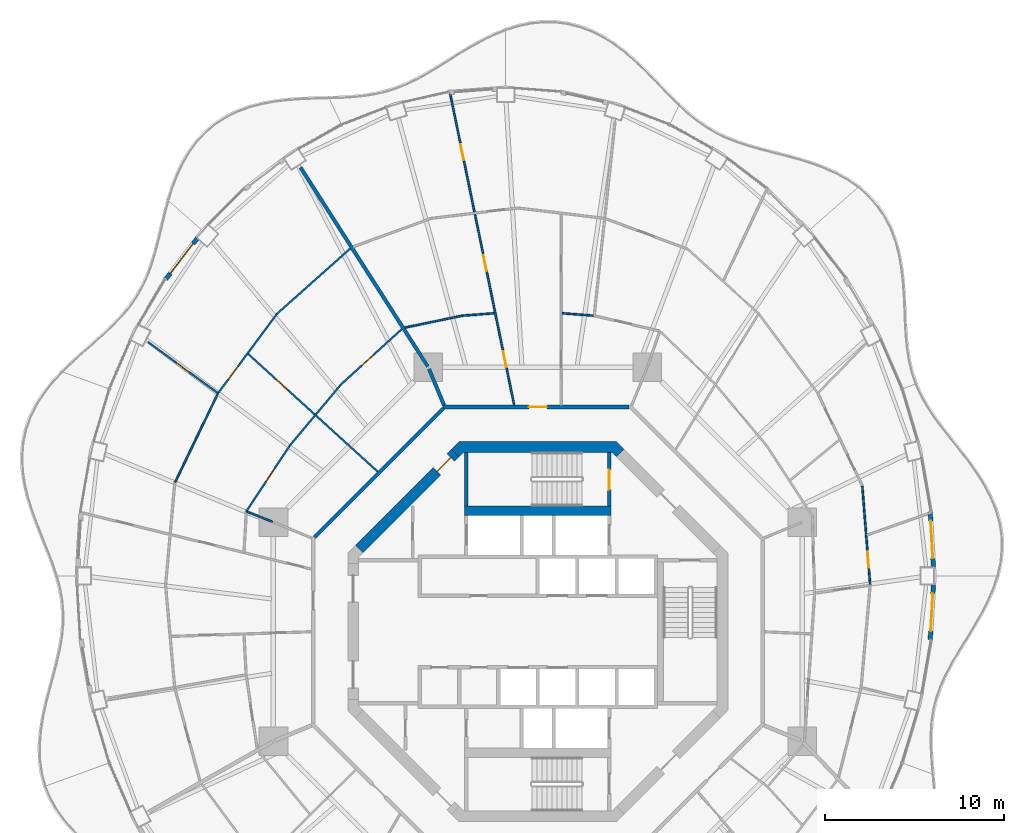
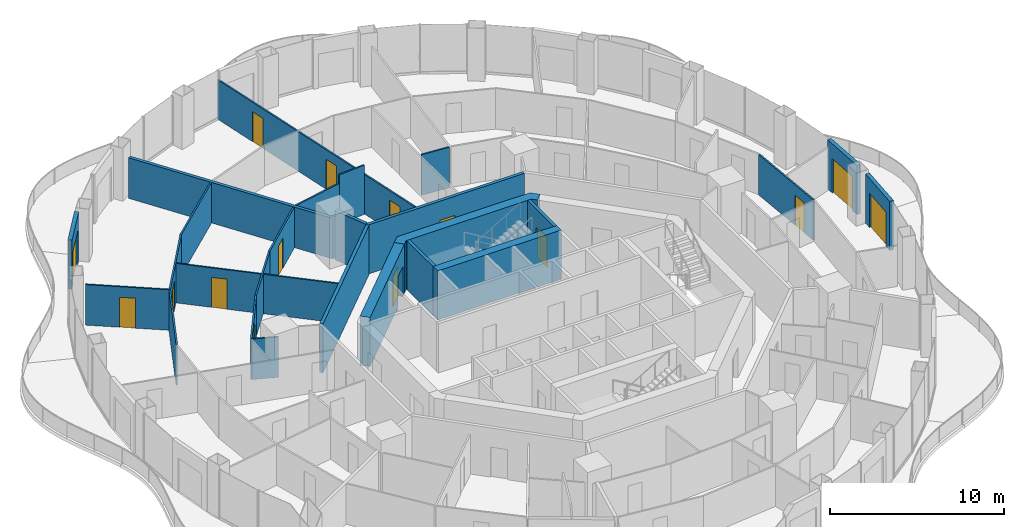
# One storey, part 13 of 18: 26 walls, 15 doors, 15 openings.
"""IFC4 building model written with IfcOpenShell, lengths in metres."""

from ifc_helpers import new_model, si_unit, direction, frame, frame_2d, origin, place, context, subcontext, project, spatial, polyline, rectangle, outline, extrude, material, layer, layer_set, type_object, element, fill, save


model = new_model("IFC4")

# Units and contexts
model_context = context("Model", 3, precision=1e-05, world=origin(), true_north=direction((0.0, 1.0)))
body_context = subcontext(model_context, "Body", "Model", "MODEL_VIEW")
ifc_project = project(units=[si_unit("LENGTHUNIT", "METRE"), si_unit("AREAUNIT", "SQUARE_METRE"), si_unit("VOLUMEUNIT", "CUBIC_METRE"), si_unit("PLANEANGLEUNIT", "RADIAN"), si_unit("MASSUNIT", "GRAM", prefix="KILO")], contexts=[model_context])

# Site, building, storey
site_placement = place(None, origin())
site = spatial("IfcSite", under=ifc_project, at=site_placement, CompositionType="ELEMENT")
building_placement = place(site_placement, origin())
building = spatial("IfcBuilding", under=site, at=building_placement, Name="Nagisa Residences", CompositionType="ELEMENT")
storey_placement = place(building_placement, frame((0.0, 0.0, 238.10009765625)))
storey = spatial("IfcBuildingStorey", under=building, at=storey_placement, Name="L60", CompositionType="ELEMENT", Elevation=238.10009765625)

# Walls
ifc_material_1 = material(Name="Gypsum board on steel studs", Category="steel")
ifc_layer_1 = layer(ifc_material_1, 0.199951171875)
ifc_layer_set_1 = layer_set([ifc_layer_1], Name="Apartment compartment wall EI60 200")
wall_type_1 = type_object("IfcWallType", Name="Apartment compartment wall EI60 200", PredefinedType="PARTITIONING", material=ifc_layer_set_1)
wall_1_placement = place(storey_placement, frame((-5.24267578125, 12.6572265625, 0.0), z_axis=(0.0, 0.0, 1.0), x_axis=(-0.382691608661, 0.923876145736, 0.0)))
element("IfcWall", 1, at=wall_1_placement, inside=storey, type_object=wall_type_1, Name="wall:L60:u00", PredefinedType="PARTITIONING", context=body_context, shape_type="SweptSolid", body=[
    extrude(rectangle(XDim=2.19970703125, YDim=0.199951171875, at=frame_2d((1.099853515625, 0.0))), origin(), (0.0, 0.0, 1.0), 3.43994140625),
])
wall_2_placement = place(storey_placement, frame((-6.14990234375, 14.82421875, 0.0), z_axis=(0.0, 0.0, 1.0), x_axis=(-0.538870687577, 0.842388498301, 0.0)))
element("IfcWall", 2, at=wall_2_placement, inside=storey, type_object=wall_type_1, Name="wall:L60:u01", PredefinedType="PARTITIONING", context=body_context, shape_type="SweptSolid", body=[
    extrude(rectangle(XDim=13.212646484375, YDim=0.199951171875, at=frame_2d((6.6064453125, 0.0))), origin(), (0.0, 0.0, 1.0), 2.8369140625),
])

# Wall, opening, door
ifc_material_2 = material(Name="Gypsum board on steel studs", Category="steel")
ifc_layer_2 = layer(ifc_material_2, 0.199951171875)
ifc_layer_set_2 = layer_set([ifc_layer_2], Name="Apartment entry wall EI60 200")
wall_type_2 = type_object("IfcWallType", Name="Apartment entry wall EI60 200", PredefinedType="PARTITIONING", material=ifc_layer_set_2)
wall_3_placement = place(storey_placement, frame((5.1044921875, 12.564697265625, 0.0), z_axis=(0.0, 0.0, 1.0), x_axis=(-1.0, 0.0, 0.0)))
wall_3 = element("IfcWall", 3, at=wall_3_placement, inside=storey, type_object=wall_type_2, Name="wall:L60:u10", PredefinedType="PARTITIONING", context=body_context, shape_type="SweptSolid", body=[
    extrude(rectangle(XDim=10.408935546875, YDim=0.199951171875, at=frame_2d((5.20458984375, 0.0))), origin(), (0.0, 0.0, 1.0), 3.43994140625),
])
opening_1_placement = place(wall_3_placement, frame((4.6044921875, 0.0, 0.0)))
opening_1 = element("IfcOpeningElement", 4, at=opening_1_placement, cuts=wall_3, Name="Opening L60-U20", PredefinedType="OPENING", context=body_context, shape_type="SweptSolid", body=[
    extrude(rectangle(XDim=1.0, YDim=2.10009765625, at=frame_2d((0.5, 1.050048828125))), frame((0.0, 0.10986328125, 0.0), z_axis=(0.0, -1.0, 0.0), x_axis=(1.0, 0.0, 0.0)), (0.0, 0.0, 1.0), 0.219970703125),
])
ifc_material_3 = material(Name="Timber fire door set", Category="wood")
door_type_1 = type_object("IfcDoorType", Name="Apartment entry door FD30S 1000x2100", OperationType="NOTDEFINED", PredefinedType="DOOR", material=ifc_material_3)
door_1_placement = place(opening_1_placement, frame((1.0, 0.0, 0.0), x_axis=(-1.0, 0.0, 0.0)))
door_1 = element("IfcDoor", 5, at=door_1_placement, inside=storey, type_object=door_type_1, Name="Entry door, Apartment 60C", OperationType="SINGLE_SWING_LEFT", OverallHeight=2.10009765625, OverallWidth=1.0, PredefinedType="DOOR", context=body_context, shape_type="SweptSolid", body=[
    extrude(rectangle(XDim=1.0, YDim=2.10009765625, at=frame_2d((0.5, 1.050048828125))), frame((0.0, 0.02490234375, 0.0), z_axis=(0.0, -1.0, 0.0), x_axis=(1.0, 0.0, 0.0)), (0.0, 0.0, 1.0), 0.050048828125),
])
fill(opening_1, door_1)

# Wall
wall_4_placement = place(storey_placement, frame((-5.275146484375, 12.494140625, 0.0), z_axis=(0.0, 0.0, 1.0), x_axis=(-0.707106781187, -0.707106781187, 0.0)))
element("IfcWall", 6, at=wall_4_placement, inside=storey, type_object=wall_type_2, Name="wall:L60:u11", PredefinedType="PARTITIONING", context=body_context, shape_type="SweptSolid", body=[
    extrude(rectangle(XDim=10.209228515625, YDim=0.199951171875, at=frame_2d((5.1044921875, 0.0))), origin(), (0.0, 0.0, 1.0), 3.43994140625),
])

# Wall, opening, door
ifc_material_4 = material(Name="Gypsum board on steel studs", Category="steel")
ifc_layer_3 = layer(ifc_material_4, 0.10009765625)
ifc_layer_set_3 = layer_set([ifc_layer_3], Name="Apartment partition 100")
wall_type_3 = type_object("IfcWallType", Name="Apartment partition 100", PredefinedType="PARTITIONING", material=ifc_layer_set_3)
wall_5_placement = place(storey_placement, frame((18.578125, 2.64208984375, 0.0), z_axis=(0.0, 0.0, 1.0), x_axis=(-0.079179272956, 0.9968603928, 0.0)))
wall_5 = element("IfcWall", 7, at=wall_5_placement, inside=storey, type_object=wall_type_3, Name="wall:L60:u19", PredefinedType="PARTITIONING", context=body_context, shape_type="SweptSolid", body=[
    extrude(rectangle(XDim=5.50390625, YDim=0.10009765625, at=frame_2d((2.751953125, 0.0))), origin(), (0.0, 0.0, 1.0), 2.8369140625),
])
opening_2_placement = place(wall_5_placement, frame((0.926025390625, 0.0, 0.0)))
opening_2 = element("IfcOpeningElement", 8, at=opening_2_placement, cuts=wall_5, Name="Opening L60-U35", PredefinedType="OPENING", context=body_context, shape_type="SweptSolid", body=[
    extrude(rectangle(XDim=0.89990234375, YDim=2.10009765625, at=frame_2d((0.449951171875, 1.050048828125))), frame((0.0, 0.06005859375, 0.0), z_axis=(0.0, -1.0, 0.0), x_axis=(1.0, 0.0, 0.0)), (0.0, 0.0, 1.0), 0.1201171875),
])
ifc_material_5 = material(Name="Timber door set", Category="wood")
door_type_2 = type_object("IfcDoorType", Name="Apartment door 900x2100", OperationType="NOTDEFINED", PredefinedType="DOOR", material=ifc_material_5)
door_2_placement = place(opening_2_placement, frame((0.89990234375, 0.0, 0.0), x_axis=(-1.0, 0.0, 0.0)))
door_2 = element("IfcDoor", 9, at=door_2_placement, inside=storey, type_object=door_type_2, Name="Door to master bedroom, Apartment 60C", OperationType="SINGLE_SWING_RIGHT", OverallHeight=2.10009765625, OverallWidth=0.89990234375, PredefinedType="DOOR", context=body_context, shape_type="SweptSolid", body=[
    extrude(rectangle(XDim=0.89990234375, YDim=2.10009765625, at=frame_2d((0.449951171875, 1.050048828125))), frame((0.0, 0.02490234375, 0.0), z_axis=(0.0, -1.0, 0.0), x_axis=(1.0, 0.0, 0.0)), (0.0, 0.0, 1.0), 0.050048828125),
])
fill(opening_2, door_2)

# Wall
wall_6_placement = place(storey_placement, frame((3.1005859375, 17.67138671875, 0.0), z_axis=(0.0, 0.0, 1.0), x_axis=(-0.997127864669, 0.075736526859, 0.0)))
element("IfcWall", 10, at=wall_6_placement, inside=storey, type_object=wall_type_3, Name="wall:L60:u38", PredefinedType="PARTITIONING", context=body_context, shape_type="SweptSolid", body=[
    extrude(rectangle(XDim=1.75048828125, YDim=0.10009765625, at=frame_2d((0.875244140625, 0.0))), origin(), (0.0, 0.0, 1.0), 2.8369140625),
])

# Wall, openings, doors
wall_7_placement = place(storey_placement, frame((-1.3212890625, 12.66259765625, 0.0), z_axis=(0.0, 0.0, 1.0), x_axis=(-0.201366062305, 0.979516058547, 0.0)))
wall_7 = element("IfcWall", 11, at=wall_7_placement, inside=storey, type_object=wall_type_3, Name="wall:L60:u42", PredefinedType="PARTITIONING", context=body_context, shape_type="SweptSolid", body=[
    extrude(rectangle(XDim=17.93896484375, YDim=0.10009765625, at=frame_2d((8.969482421875, 0.0))), origin(), (0.0, 0.0, 1.0), 2.761962890625),
])
opening_3_placement = place(wall_7_placement, frame((2.177001953125, 0.0, 0.0)))
opening_3 = element("IfcOpeningElement", 12, at=opening_3_placement, cuts=wall_7, Name="Opening L60-U22", PredefinedType="OPENING", context=body_context, shape_type="SweptSolid", body=[
    extrude(rectangle(XDim=0.89990234375, YDim=2.10009765625, at=frame_2d((0.449951171875, 1.050048828125))), frame((0.0, 0.06005859375, 0.0), z_axis=(0.0, -1.0, 0.0), x_axis=(1.0, 0.0, 0.0)), (0.0, 0.0, 1.0), 0.1201171875),
])
opening_4_placement = place(wall_7_placement, frame((7.6591796875, 0.0, 0.0)))
opening_4 = element("IfcOpeningElement", 13, at=opening_4_placement, cuts=wall_7, Name="Opening L60-U25", PredefinedType="OPENING", context=body_context, shape_type="SweptSolid", body=[
    extrude(rectangle(XDim=0.89990234375, YDim=2.10009765625, at=frame_2d((0.449951171875, 1.050048828125))), frame((0.0, 0.06005859375, 0.0), z_axis=(0.0, -1.0, 0.0), x_axis=(1.0, 0.0, 0.0)), (0.0, 0.0, 1.0), 0.1201171875),
])
opening_5_placement = place(wall_7_placement, frame((14.001708984375, 0.0, 0.0)))
opening_5 = element("IfcOpeningElement", 14, at=opening_5_placement, cuts=wall_7, Name="Opening L60-U29", PredefinedType="OPENING", context=body_context, shape_type="SweptSolid", body=[
    extrude(rectangle(XDim=0.89990234375, YDim=2.10009765625, at=frame_2d((0.449951171875, 1.050048828125))), frame((0.0, 0.06005859375, 0.0), z_axis=(0.0, -1.0, 0.0), x_axis=(1.0, 0.0, 0.0)), (0.0, 0.0, 1.0), 0.1201171875),
])
door_3_placement = place(opening_3_placement, origin())
door_3 = element("IfcDoor", 15, at=door_3_placement, inside=storey, type_object=door_type_2, Name="Door to laundry, Apartment 60C", OperationType="SINGLE_SWING_RIGHT", OverallHeight=2.10009765625, OverallWidth=0.89990234375, PredefinedType="DOOR", context=body_context, shape_type="SweptSolid", body=[
    extrude(rectangle(XDim=0.89990234375, YDim=2.10009765625, at=frame_2d((0.449951171875, 1.050048828125))), frame((0.0, 0.02490234375, 0.0), z_axis=(0.0, -1.0, 0.0), x_axis=(1.0, 0.0, 0.0)), (0.0, 0.0, 1.0), 0.050048828125),
])
fill(opening_3, door_3)
door_4_placement = place(opening_4_placement, origin())
door_4 = element("IfcDoor", 16, at=door_4_placement, inside=storey, type_object=door_type_2, Name="Door to study, Apartment 60C", OperationType="SINGLE_SWING_LEFT", OverallHeight=2.10009765625, OverallWidth=0.89990234375, PredefinedType="DOOR", context=body_context, shape_type="SweptSolid", body=[
    extrude(rectangle(XDim=0.89990234375, YDim=2.10009765625, at=frame_2d((0.449951171875, 1.050048828125))), frame((0.0, 0.02490234375, 0.0), z_axis=(0.0, -1.0, 0.0), x_axis=(1.0, 0.0, 0.0)), (0.0, 0.0, 1.0), 0.050048828125),
])
fill(opening_4, door_4)
door_5_placement = place(opening_5_placement, origin())
door_5 = element("IfcDoor", 17, at=door_5_placement, inside=storey, type_object=door_type_2, Name="Door to dining room, Apartment 60C", OperationType="SINGLE_SWING_LEFT", OverallHeight=2.10009765625, OverallWidth=0.89990234375, PredefinedType="DOOR", context=body_context, shape_type="SweptSolid", body=[
    extrude(rectangle(XDim=0.89990234375, YDim=2.10009765625, at=frame_2d((0.449951171875, 1.050048828125))), frame((0.0, 0.02490234375, 0.0), z_axis=(0.0, -1.0, 0.0), x_axis=(1.0, 0.0, 0.0)), (0.0, 0.0, 1.0), 0.050048828125),
])
fill(opening_5, door_5)

# Walls
wall_8_placement = place(storey_placement, frame((-2.43505859375, 17.803955078125, 0.0), z_axis=(0.0, 0.0, 1.0), x_axis=(-0.997128664551, -0.075725995084, 0.0)))
element("IfcWall", 18, at=wall_8_placement, inside=storey, type_object=wall_type_3, Name="wall:L60:u43", PredefinedType="PARTITIONING", context=body_context, shape_type="SweptSolid", body=[
    extrude(rectangle(XDim=1.750732421875, YDim=0.10009765625, at=frame_2d((0.87548828125, 0.0))), origin(), (0.0, 0.0, 1.0), 3.43994140625),
])
wall_9_placement = place(storey_placement, frame((-4.181640625, 17.677734375, 0.0), z_axis=(0.0, 0.0, 1.0), x_axis=(-0.979196996208, -0.202911908517, 0.0)))
element("IfcWall", 19, at=wall_9_placement, inside=storey, type_object=wall_type_3, Name="wall:L60:u44", PredefinedType="PARTITIONING", context=body_context, shape_type="SweptSolid", body=[
    extrude(rectangle(XDim=3.32080078125, YDim=0.10009765625, at=frame_2d((1.660400390625, 0.0))), origin(), (0.0, 0.0, 1.0), 2.8369140625),
])

# Wall, opening, door
wall_10_placement = place(storey_placement, frame((-7.605224609375, 16.91650390625, 0.0), z_axis=(0.0, 0.0, 1.0), x_axis=(-0.739828340504, -0.672795679673, 0.0)))
wall_10 = element("IfcWall", 20, at=wall_10_placement, inside=storey, type_object=wall_type_3, Name="wall:L60:u46", PredefinedType="PARTITIONING", context=body_context, shape_type="SweptSolid", body=[
    extrude(rectangle(XDim=4.647216796875, YDim=0.10009765625, at=frame_2d((2.32373046875, 0.0))), origin(), (0.0, 0.0, 1.0), 2.8369140625),
])
opening_6_placement = place(wall_10_placement, frame((2.148193359375, 0.0, 0.0)))
opening_6 = element("IfcOpeningElement", 21, at=opening_6_placement, cuts=wall_10, Name="Opening L60-U52", PredefinedType="OPENING", context=body_context, shape_type="SweptSolid", body=[
    extrude(rectangle(XDim=0.89990234375, YDim=2.10009765625, at=frame_2d((0.449951171875, 1.050048828125))), frame((0.0, 0.06005859375, 0.0), z_axis=(0.0, -1.0, 0.0), x_axis=(1.0, 0.0, 0.0)), (0.0, 0.0, 1.0), 0.1201171875),
])
door_6_placement = place(opening_6_placement, origin())
door_6 = element("IfcDoor", 22, at=door_6_placement, inside=storey, type_object=door_type_2, Name="Door to store, Apartment 60D", OperationType="SINGLE_SWING_RIGHT", OverallHeight=2.10009765625, OverallWidth=0.89990234375, PredefinedType="DOOR", context=body_context, shape_type="SweptSolid", body=[
    extrude(rectangle(XDim=0.89990234375, YDim=2.10009765625, at=frame_2d((0.449951171875, 1.050048828125))), frame((0.0, 0.02490234375, 0.0), z_axis=(0.0, -1.0, 0.0), x_axis=(1.0, 0.0, 0.0)), (0.0, 0.0, 1.0), 0.050048828125),
])
fill(opening_6, door_6)

# Walls
wall_11_placement = place(storey_placement, frame((-10.48779296875, 21.422119140625, 0.0), z_axis=(0.0, 0.0, 1.0), x_axis=(-0.747153269812, -0.66465178207, 0.0)))
element("IfcWall", 23, at=wall_11_placement, inside=storey, type_object=wall_type_3, Name="wall:L60:u47", PredefinedType="PARTITIONING", context=body_context, shape_type="SweptSolid", body=[
    extrude(rectangle(XDim=5.52490234375, YDim=0.10009765625, at=frame_2d((2.762451171875, 0.0))), origin(), (0.0, 0.0, 1.0), 2.8369140625),
])
wall_12_placement = place(storey_placement, frame((-11.03857421875, 13.78515625, 0.0), z_axis=(0.0, 0.0, 1.0), x_axis=(-0.642254625966, -0.766491353784, 0.0)))
element("IfcWall", 24, at=wall_12_placement, inside=storey, type_object=wall_type_3, Name="wall:L60:u48", PredefinedType="PARTITIONING", context=body_context, shape_type="SweptSolid", body=[
    extrude(rectangle(XDim=4.4609375, YDim=0.10009765625, at=frame_2d((2.23046875, 0.0))), origin(), (0.0, 0.0, 1.0), 2.8369140625),
])

# Wall, opening, door
wall_13_placement = place(storey_placement, frame((-14.608154296875, 17.7431640625, 0.0), z_axis=(0.0, 0.0, 1.0), x_axis=(-0.596174489482, -0.8028548923, 0.0)))
wall_13 = element("IfcWall", 25, at=wall_13_placement, inside=storey, type_object=wall_type_3, Name="wall:L60:u49", PredefinedType="PARTITIONING", context=body_context, shape_type="SweptSolid", body=[
    extrude(rectangle(XDim=5.44189453125, YDim=0.10009765625, at=frame_2d((2.720947265625, 0.0))), origin(), (0.0, 0.0, 1.0), 2.8369140625),
])
opening_7_placement = place(wall_13_placement, frame((3.63134765625, 0.0, 0.0)))
opening_7 = element("IfcOpeningElement", 26, at=opening_7_placement, cuts=wall_13, Name="Opening L60-U46", PredefinedType="OPENING", context=body_context, shape_type="SweptSolid", body=[
    extrude(rectangle(XDim=0.89990234375, YDim=2.10009765625, at=frame_2d((0.449951171875, 1.050048828125))), frame((0.0, 0.06005859375, 0.0), z_axis=(0.0, -1.0, 0.0), x_axis=(1.0, 0.0, 0.0)), (0.0, 0.0, 1.0), 0.1201171875),
])
door_7_placement = place(opening_7_placement, frame((0.89990234375, 0.0, 0.0), x_axis=(-1.0, 0.0, 0.0)))
door_7 = element("IfcDoor", 27, at=door_7_placement, inside=storey, type_object=door_type_2, Name="Door to living room, Apartment 60D", OperationType="SINGLE_SWING_LEFT", OverallHeight=2.10009765625, OverallWidth=0.89990234375, PredefinedType="DOOR", context=body_context, shape_type="SweptSolid", body=[
    extrude(rectangle(XDim=0.89990234375, YDim=2.10009765625, at=frame_2d((0.449951171875, 1.050048828125))), frame((0.0, 0.02490234375, 0.0), z_axis=(0.0, -1.0, 0.0), x_axis=(1.0, 0.0, 0.0)), (0.0, 0.0, 1.0), 0.050048828125),
])
fill(opening_7, door_7)

wall_14_placement = place(storey_placement, frame((-8.958740234375, 8.951904296875, 0.0), z_axis=(0.0, 0.0, 1.0), x_axis=(-0.740140081805, 0.672452719011, 0.0)))
wall_14 = element("IfcWall", 28, at=wall_14_placement, inside=storey, type_object=wall_type_3, Name="wall:L60:u50", PredefinedType="PARTITIONING", context=body_context, shape_type="SweptSolid", body=[
    extrude(rectangle(XDim=9.774658203125, YDim=0.10009765625, at=frame_2d((4.88720703125, 0.0))), origin(), (0.0, 0.0, 1.0), 2.761962890625),
])
opening_8_placement = place(wall_14_placement, frame((6.78857421875, 0.0, 0.0)))
opening_8 = element("IfcOpeningElement", 29, at=opening_8_placement, cuts=wall_14, Name="Opening L60-U51", PredefinedType="OPENING", context=body_context, shape_type="SweptSolid", body=[
    extrude(rectangle(XDim=0.89990234375, YDim=2.10009765625, at=frame_2d((0.449951171875, 1.050048828125))), frame((0.0, 0.06005859375, 0.0), z_axis=(0.0, -1.0, 0.0), x_axis=(1.0, 0.0, 0.0)), (0.0, 0.0, 1.0), 0.1201171875),
])
door_8_placement = place(opening_8_placement, frame((0.89990234375, 0.0, 0.0), x_axis=(-1.0, 0.0, 0.0)))
door_8 = element("IfcDoor", 30, at=door_8_placement, inside=storey, type_object=door_type_2, Name="Door to kitchen, Apartment 60D", OperationType="SINGLE_SWING_RIGHT", OverallHeight=2.10009765625, OverallWidth=0.89990234375, PredefinedType="DOOR", context=body_context, shape_type="SweptSolid", body=[
    extrude(rectangle(XDim=0.89990234375, YDim=2.10009765625, at=frame_2d((0.449951171875, 1.050048828125))), frame((0.0, 0.02490234375, 0.0), z_axis=(0.0, -1.0, 0.0), x_axis=(1.0, 0.0, 0.0)), (0.0, 0.0, 1.0), 0.050048828125),
])
fill(opening_8, door_8)

wall_15_placement = place(storey_placement, frame((-13.899169921875, 10.362548828125, 0.0), z_axis=(0.0, 0.0, 1.0), x_axis=(-0.55129513787, -0.834310296569, 0.0)))
wall_15 = element("IfcWall", 31, at=wall_15_placement, inside=storey, type_object=wall_type_3, Name="wall:L60:u51", PredefinedType="PARTITIONING", context=body_context, shape_type="SweptSolid", body=[
    extrude(rectangle(XDim=4.4072265625, YDim=0.10009765625, at=frame_2d((2.20361328125, 0.0))), origin(), (0.0, 0.0, 1.0), 2.8369140625),
])
opening_9_placement = place(wall_15_placement, frame((1.452880859375, 0.0, 0.0)))
opening_9 = element("IfcOpeningElement", 32, at=opening_9_placement, cuts=wall_15, Name="Opening L60-U50", PredefinedType="OPENING", context=body_context, shape_type="SweptSolid", body=[
    extrude(rectangle(XDim=0.89990234375, YDim=2.10009765625, at=frame_2d((0.449951171875, 1.050048828125))), frame((0.0, 0.06005859375, 0.0), z_axis=(0.0, -1.0, 0.0), x_axis=(1.0, 0.0, 0.0)), (0.0, 0.0, 1.0), 0.1201171875),
])
door_9_placement = place(opening_9_placement, origin())
door_9 = element("IfcDoor", 33, at=door_9_placement, inside=storey, type_object=door_type_2, Name="Door to laundry, Apartment 60D", OperationType="SINGLE_SWING_RIGHT", OverallHeight=2.10009765625, OverallWidth=0.89990234375, PredefinedType="DOOR", context=body_context, shape_type="SweptSolid", body=[
    extrude(rectangle(XDim=0.89990234375, YDim=2.10009765625, at=frame_2d((0.449951171875, 1.050048828125))), frame((0.0, 0.02490234375, 0.0), z_axis=(0.0, -1.0, 0.0), x_axis=(1.0, 0.0, 0.0)), (0.0, 0.0, 1.0), 0.050048828125),
])
fill(opening_9, door_9)

wall_16_placement = place(storey_placement, frame((-17.842041015625, 13.304443359375, 0.0), z_axis=(0.0, 0.0, 1.0), x_axis=(-0.807541617862, 0.589810592835, 0.0)))
wall_16 = element("IfcWall", 34, at=wall_16_placement, inside=storey, type_object=wall_type_3, Name="wall:L60:u52", PredefinedType="PARTITIONING", context=body_context, shape_type="SweptSolid", body=[
    extrude(rectangle(XDim=4.9033203125, YDim=0.10009765625, at=frame_2d((2.45166015625, 0.0))), origin(), (0.0, 0.0, 1.0), 2.8369140625),
])
opening_10_placement = place(wall_16_placement, frame((2.02685546875, 0.0, 0.0)))
opening_10 = element("IfcOpeningElement", 35, at=opening_10_placement, cuts=wall_16, Name="Opening L60-U47", PredefinedType="OPENING", context=body_context, shape_type="SweptSolid", body=[
    extrude(rectangle(XDim=0.89990234375, YDim=2.10009765625, at=frame_2d((0.449951171875, 1.050048828125))), frame((0.0, 0.06005859375, 0.0), z_axis=(0.0, -1.0, 0.0), x_axis=(1.0, 0.0, 0.0)), (0.0, 0.0, 1.0), 0.1201171875),
])
door_10_placement = place(opening_10_placement, origin())
door_10 = element("IfcDoor", 36, at=door_10_placement, inside=storey, type_object=door_type_2, Name="Door to tatami room, Apartment 60D", OperationType="SINGLE_SWING_LEFT", OverallHeight=2.10009765625, OverallWidth=0.89990234375, PredefinedType="DOOR", context=body_context, shape_type="SweptSolid", body=[
    extrude(rectangle(XDim=0.89990234375, YDim=2.10009765625, at=frame_2d((0.449951171875, 1.050048828125))), frame((0.0, 0.02490234375, 0.0), z_axis=(0.0, -1.0, 0.0), x_axis=(1.0, 0.0, 0.0)), (0.0, 0.0, 1.0), 0.050048828125),
])
fill(opening_10, door_10)

# Walls
wall_17_placement = place(storey_placement, frame((-17.904052734375, 13.288818359375, 0.0), z_axis=(0.0, 0.0, 1.0), x_axis=(-0.434292070406, -0.900772111903, 0.0)))
element("IfcWall", 37, at=wall_17_placement, inside=storey, type_object=wall_type_3, Name="wall:L60:u53", PredefinedType="PARTITIONING", context=body_context, shape_type="SweptSolid", body=[
    extrude(rectangle(XDim=5.46875, YDim=0.10009765625, at=frame_2d((2.734375, 0.0))), origin(), (0.0, 0.0, 1.0), 2.8369140625),
])
wall_18_placement = place(storey_placement, frame((-14.82861328125, 6.141357421875, 0.0), z_axis=(0.0, 0.0, 1.0), x_axis=(-0.929177051194, 0.369634965248, 0.0)))
element("IfcWall", 38, at=wall_18_placement, inside=storey, type_object=wall_type_3, Name="wall:L60:u55", PredefinedType="PARTITIONING", context=body_context, shape_type="SweptSolid", body=[
    extrude(rectangle(XDim=1.534912109375, YDim=0.10009765625, at=frame_2d((0.767578125, 0.0))), origin(), (0.0, 0.0, 1.0), 2.8369140625),
])

# Wall, opening, door
ifc_material_6 = material(Name="Precast concrete C40/50", Category="concrete")
ifc_layer_4 = layer(ifc_material_6, 0.25)
ifc_layer_set_4 = layer_set([ifc_layer_4], Name="BALCONY DOOR WALL 250")
wall_type_4 = type_object("IfcWallType", Name="BALCONY DOOR WALL 250", PredefinedType="SOLIDWALL", material=ifc_layer_set_4)
wall_19_placement = place(storey_placement, frame((21.939208984375, 6.685546875, 0.0), z_axis=(0.0, 0.0, 1.0), x_axis=(0.057528189427, -0.998343882348, 0.0)))
wall_19 = element("IfcWall", 39, at=wall_19_placement, inside=storey, type_object=wall_type_4, Name="wall:L60:bay00", PredefinedType="SOLIDWALL", context=body_context, shape_type="SweptSolid", body=[
    extrude(rectangle(XDim=3.0810546875, YDim=0.25, at=frame_2d((1.54052734375, 0.0))), origin(), (0.0, 0.0, 1.0), 3.43994140625),
])
opening_11_placement = place(wall_19_placement, frame((0.490478515625, 0.0, 0.0)))
opening_11 = element("IfcOpeningElement", 40, at=opening_11_placement, cuts=wall_19, Name="Opening BD-L60-01", PredefinedType="OPENING", context=body_context, shape_type="SweptSolid", body=[
    extrude(rectangle(XDim=2.10009765625, YDim=2.39990234375, at=frame_2d((1.050048828125, 1.199951171875))), frame((0.0, 0.135009765625, 0.0), z_axis=(0.0, -1.0, 0.0), x_axis=(1.0, 0.0, 0.0)), (0.0, 0.0, 1.0), 0.27001953125),
])
ifc_material_7 = material(Name="Aluminium and clear glass", Category="aluminium")
door_type_3 = type_object("IfcDoorType", Name="BALCONY SLIDING DOOR 2100x2400", OperationType="SLIDING_TO_LEFT", PredefinedType="DOOR", material=ifc_material_7)
door_11_placement = place(opening_11_placement, origin())
door_11 = element("IfcDoor", 41, at=door_11_placement, inside=storey, type_object=door_type_3, Name="door:L60:bay00", OperationType="SLIDING_TO_LEFT", OverallHeight=2.39990234375, OverallWidth=2.10009765625, PredefinedType="DOOR", context=body_context, shape_type="SweptSolid", body=[
    extrude(rectangle(XDim=2.10009765625, YDim=2.39990234375, at=frame_2d((1.050048828125, 1.199951171875))), frame((0.0, 0.02490234375, 0.0), z_axis=(0.0, -1.0, 0.0), x_axis=(1.0, 0.0, 0.0)), (0.0, 0.0, 1.0), 0.050048828125),
])
fill(opening_11, door_11)

wall_20_placement = place(storey_placement, frame((-20.797119140625, 19.71533203125, 0.0), z_axis=(0.0, 0.0, 1.0), x_axis=(0.610438565676, 0.792063607001, 0.0)))
wall_20 = element("IfcWall", 42, at=wall_20_placement, inside=storey, type_object=wall_type_4, Name="wall:L60:bay18", PredefinedType="SOLIDWALL", context=body_context, shape_type="SweptSolid", body=[
    extrude(rectangle(XDim=2.90087890625, YDim=0.25, at=frame_2d((1.450439453125, 0.0))), origin(), (0.0, 0.0, 1.0), 3.43994140625),
])
opening_12_placement = place(wall_20_placement, frame((0.400390625, 0.0, 0.0)))
opening_12 = element("IfcOpeningElement", 43, at=opening_12_placement, cuts=wall_20, Name="Opening BD-L60-07", PredefinedType="OPENING", context=body_context, shape_type="SweptSolid", body=[
    extrude(rectangle(XDim=2.10009765625, YDim=2.39990234375, at=frame_2d((1.050048828125, 1.199951171875))), frame((0.0, 0.135009765625, 0.0), z_axis=(0.0, -1.0, 0.0), x_axis=(1.0, 0.0, 0.0)), (0.0, 0.0, 1.0), 0.27001953125),
])
door_12_placement = place(opening_12_placement, origin())
door_12 = element("IfcDoor", 44, at=door_12_placement, inside=storey, type_object=door_type_3, Name="door:L60:bay18", OperationType="SLIDING_TO_LEFT", OverallHeight=2.39990234375, OverallWidth=2.10009765625, PredefinedType="DOOR", context=body_context, shape_type="SweptSolid", body=[
    extrude(rectangle(XDim=2.10009765625, YDim=2.39990234375, at=frame_2d((1.050048828125, 1.199951171875))), frame((0.0, 0.02490234375, 0.0), z_axis=(0.0, -1.0, 0.0), x_axis=(1.0, 0.0, 0.0)), (0.0, 0.0, 1.0), 0.050048828125),
])
fill(opening_12, door_12)

wall_21_placement = place(storey_placement, frame((22.116455078125, 2.625732421875, 0.0), z_axis=(0.0, 0.0, 1.0), x_axis=(-0.057528189427, -0.998343882348, 0.0)))
wall_21 = element("IfcWall", 45, at=wall_21_placement, inside=storey, type_object=wall_type_4, Name="wall:L60:bay47", PredefinedType="SOLIDWALL", context=body_context, shape_type="SweptSolid", body=[
    extrude(rectangle(XDim=3.0810546875, YDim=0.25, at=frame_2d((1.54052734375, 0.0))), origin(), (0.0, 0.0, 1.0), 3.43994140625),
])
opening_13_placement = place(wall_21_placement, frame((0.490478515625, 0.0, 0.0)))
opening_13 = element("IfcOpeningElement", 46, at=opening_13_placement, cuts=wall_21, Name="Opening BD-L60-16", PredefinedType="OPENING", context=body_context, shape_type="SweptSolid", body=[
    extrude(rectangle(XDim=2.10009765625, YDim=2.39990234375, at=frame_2d((1.050048828125, 1.199951171875))), frame((0.0, 0.135009765625, 0.0), z_axis=(0.0, -1.0, 0.0), x_axis=(1.0, 0.0, 0.0)), (0.0, 0.0, 1.0), 0.27001953125),
])
door_13_placement = place(opening_13_placement, origin())
door_13 = element("IfcDoor", 47, at=door_13_placement, inside=storey, type_object=door_type_3, Name="door:L60:bay47", OperationType="SLIDING_TO_LEFT", OverallHeight=2.39990234375, OverallWidth=2.10009765625, PredefinedType="DOOR", context=body_context, shape_type="SweptSolid", body=[
    extrude(rectangle(XDim=2.10009765625, YDim=2.39990234375, at=frame_2d((1.050048828125, 1.199951171875))), frame((0.0, 0.02490234375, 0.0), z_axis=(0.0, -1.0, 0.0), x_axis=(1.0, 0.0, 0.0)), (0.0, 0.0, 1.0), 0.050048828125),
])
fill(opening_13, door_13)

ifc_material_8 = material(Name="Concrete C60", Category="concrete")
ifc_layer_5 = layer(ifc_material_8, 0.60009765625)
ifc_layer_set_5 = layer_set([ifc_layer_5], Name="Core shear wall 600")
wall_type_5 = type_object("IfcWallType", Name="Core shear wall 600", PredefinedType="SHEAR", material=ifc_layer_set_5)
wall_22_placement = place(storey_placement, frame((-4.613037109375, 9.98828125, 0.0), z_axis=(0.0, 0.0, 1.0), x_axis=(-0.707106781187, -0.707106781187, 0.0)))
wall_22 = element("IfcWall", 48, at=wall_22_placement, inside=storey, type_object=wall_type_5, Name="wall:L60:core:flat3", PredefinedType="SHEAR", context=body_context, shape_type="SweptSolid", body=[
    extrude(rectangle(XDim=7.601806640625, YDim=0.60009765625, at=frame_2d((3.80078125, 0.0))), origin(), (0.0, 0.0, 1.0), 3.43994140625),
])
opening_14_placement = place(wall_22_placement, frame((0.350830078125, 0.0, 0.0)))
opening_14 = element("IfcOpeningElement", 49, at=opening_14_placement, cuts=wall_22, Name="Opening L60-C21", PredefinedType="OPENING", context=body_context, shape_type="SweptSolid", body=[
    extrude(rectangle(XDim=1.10009765625, YDim=2.10009765625, at=frame_2d((0.550048828125, 1.050048828125))), frame((0.0, 0.31005859375, 0.0), z_axis=(0.0, -1.0, 0.0), x_axis=(1.0, 0.0, 0.0)), (0.0, 0.0, 1.0), 0.6201171875),
])
ifc_material_9 = material(Name="Steel fire door", Category="steel")
door_type_4 = type_object("IfcDoorType", Name="Fire door EI60 1100x2100 single swing", OperationType="NOTDEFINED", PredefinedType="DOOR", material=ifc_material_9)
door_14_placement = place(opening_14_placement, origin())
door_14 = element("IfcDoor", 50, at=door_14_placement, inside=storey, type_object=door_type_4, Name="Service lobby door L60", OperationType="SINGLE_SWING_LEFT", OverallHeight=2.10009765625, OverallWidth=1.10009765625, PredefinedType="DOOR", context=body_context, shape_type="SweptSolid", body=[
    extrude(rectangle(XDim=1.10009765625, YDim=2.10009765625, at=frame_2d((0.550048828125, 1.050048828125))), frame((0.0, 0.02490234375, 0.0), z_axis=(0.0, -1.0, 0.0), x_axis=(1.0, 0.0, 0.0)), (0.0, 0.0, 1.0), 0.050048828125),
])
fill(opening_14, door_14)

# Wall
wall_23_placement = place(storey_placement, origin())
element("IfcWall", 51, at=wall_23_placement, inside=storey, type_object=wall_type_5, Name="wall:L60:core:flat2", PredefinedType="SHEAR", context=body_context, shape_type="SweptSolid", body=[
    extrude(outline(polyline([(-4.15234375, 10.024658203125), (-4.40087890625, 9.776123046875), (-4.8251953125, 10.200439453125), (-4.40087890625, 10.62451171875), (4.40087890625, 10.62451171875), (4.8251953125, 10.200439453125), (4.40087890625, 9.776123046875), (4.15234375, 10.024658203125), (-4.15234375, 10.024658203125)])), origin(), (0.0, 0.0, 1.0), 3.43994140625),
])

# Wall, opening, door
ifc_material_10 = material(Name="Concrete C60", Category="concrete")
ifc_layer_6 = layer(ifc_material_10, 0.199951171875)
ifc_layer_set_6 = layer_set([ifc_layer_6], Name="Stair enclosure wall 200")
wall_type_6 = type_object("IfcWallType", Name="Stair enclosure wall 200", PredefinedType="SOLIDWALL", material=ifc_layer_set_6)
wall_24_placement = place(storey_placement, frame((4.0, 7.024658203125, 0.0), z_axis=(0.0, 0.0, 1.0), x_axis=(0.0, 1.0, 0.0)))
wall_24 = element("IfcWall", 52, at=wall_24_placement, inside=storey, type_object=wall_type_6, Name="wall:L60:SN_e", PredefinedType="SOLIDWALL", context=body_context, shape_type="SweptSolid", body=[
    extrude(rectangle(XDim=3.0, YDim=0.199951171875, at=frame_2d((1.5, 0.0))), origin(), (0.0, 0.0, 1.0), 3.43994140625),
])
opening_15_placement = place(wall_24_placement, frame((0.92529296875, 0.0, 0.0)))
opening_15 = element("IfcOpeningElement", 53, at=opening_15_placement, cuts=wall_24, Name="Opening L60-C09", PredefinedType="OPENING", context=body_context, shape_type="SweptSolid", body=[
    extrude(rectangle(XDim=1.10009765625, YDim=2.10009765625, at=frame_2d((0.550048828125, 1.050048828125))), frame((0.0, 0.10986328125, 0.0), z_axis=(0.0, -1.0, 0.0), x_axis=(1.0, 0.0, 0.0)), (0.0, 0.0, 1.0), 0.219970703125),
])
ifc_material_11 = material(Name="Steel fire door", Category="steel")
door_type_5 = type_object("IfcDoorType", Name="Fire door EI90 1100x2100 single swing", OperationType="NOTDEFINED", PredefinedType="DOOR", material=ifc_material_11)
door_15_placement = place(opening_15_placement, origin())
door_15 = element("IfcDoor", 54, at=door_15_placement, inside=storey, type_object=door_type_5, Name="Stair door ST-N L60", OperationType="SINGLE_SWING_LEFT", OverallHeight=2.10009765625, OverallWidth=1.10009765625, PredefinedType="DOOR", context=body_context, shape_type="SweptSolid", body=[
    extrude(rectangle(XDim=1.10009765625, YDim=2.10009765625, at=frame_2d((0.550048828125, 1.050048828125))), frame((0.0, 0.02490234375, 0.0), z_axis=(0.0, -1.0, 0.0), x_axis=(1.0, 0.0, 0.0)), (0.0, 0.0, 1.0), 0.050048828125),
])
fill(opening_15, door_15)

# Walls
wall_25_placement = place(storey_placement, origin())
element("IfcWall", 55, at=wall_25_placement, inside=storey, type_object=wall_type_6, Name="wall:L60:SN_w", PredefinedType="SOLIDWALL", context=body_context, shape_type="SweptSolid", body=[
    extrude(outline(polyline([(-3.89990234375, 7.024658203125), (-4.10009765625, 7.024658203125), (-4.10009765625, 10.024658203125), (-3.89990234375, 10.024658203125), (-3.89990234375, 7.024658203125)])), origin(), (0.0, 0.0, 1.0), 3.43994140625),
])
wall_26_placement = place(storey_placement, origin())
element("IfcWall", 56, at=wall_26_placement, inside=storey, type_object=wall_type_6, Name="wall:L60:SN_s", PredefinedType="SOLIDWALL", context=body_context, shape_type="SweptSolid", body=[
    extrude(outline(polyline([(4.10009765625, 6.5), (-4.10009765625, 6.5), (-4.10009765625, 7.024658203125), (4.10009765625, 7.024658203125), (4.10009765625, 6.5)])), origin(), (0.0, 0.0, 1.0), 3.43994140625),
])

save(model, "model.ifc")
